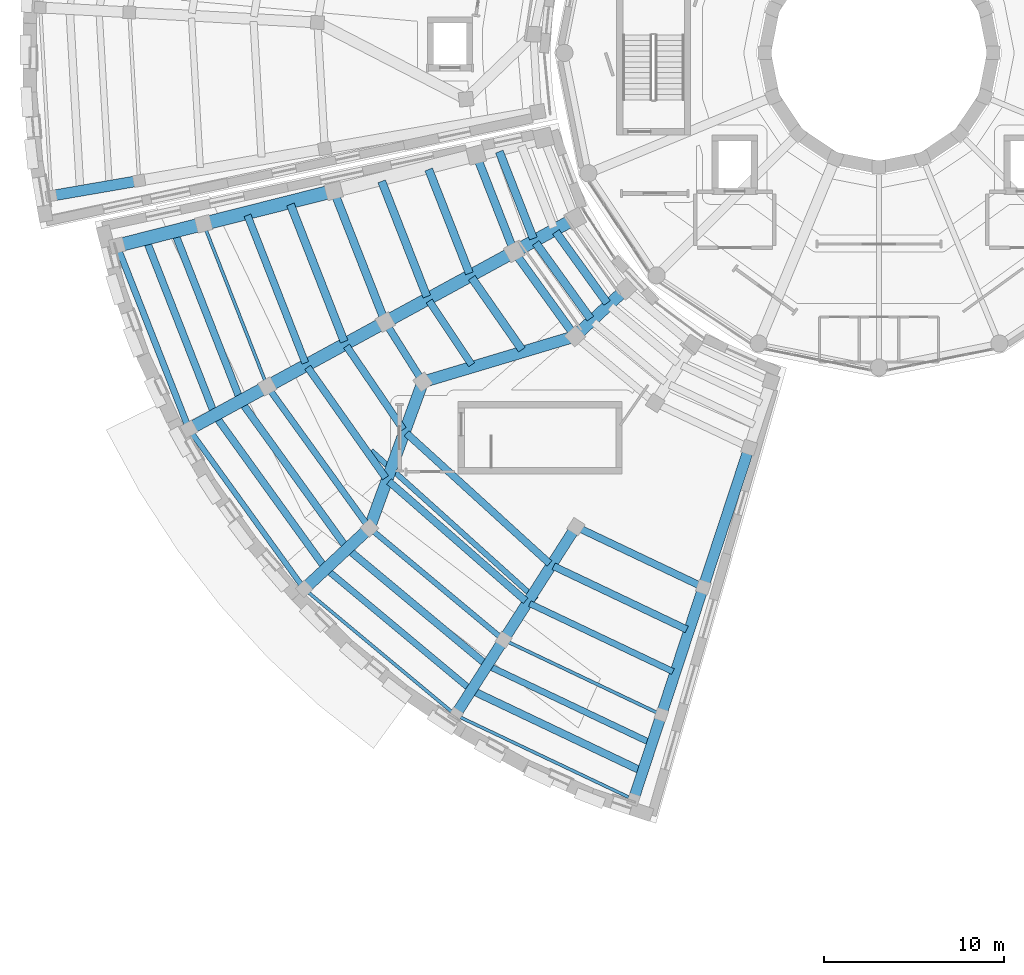
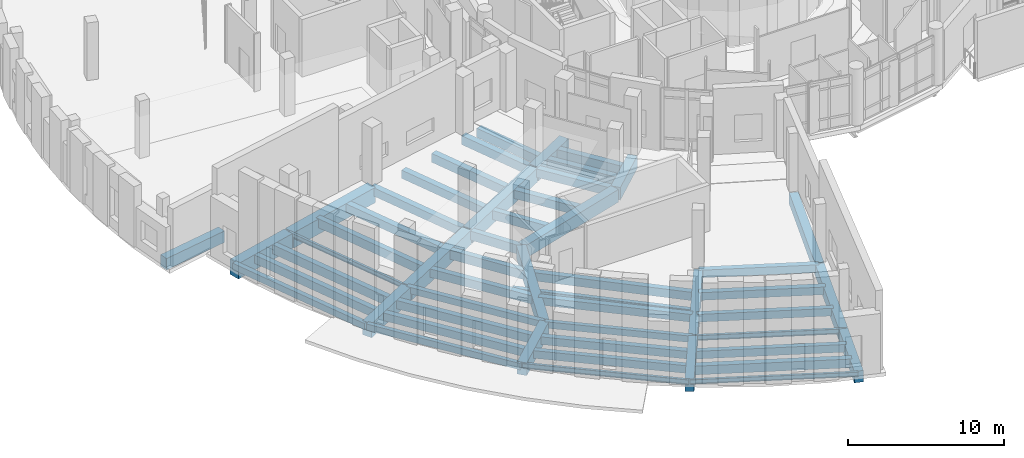
# One storey, part 9 of 89: 53 beams.
"""IFC4 building model written with IfcOpenShell, lengths in metres."""

from ifc_helpers import new_model, si_unit, direction, frame, origin, origin_2d, place, context, subcontext, project, spatial, rectangle, i_section, extrude, material, material_profile, profile_set, type_object, element, save


model = new_model("IFC4")

# Units and contexts
model_context = context("Model", 3, precision=1e-05, world=origin(), true_north=direction((0.0, 1.0)))
body_context = subcontext(model_context, "Body", "Model", "MODEL_VIEW")
ifc_project = project(units=[si_unit("LENGTHUNIT", "METRE"), si_unit("AREAUNIT", "SQUARE_METRE"), si_unit("VOLUMEUNIT", "CUBIC_METRE"), si_unit("PLANEANGLEUNIT", "RADIAN"), si_unit("MASSUNIT", "GRAM", prefix="KILO")], contexts=[model_context])

# Site, building, storey
site_placement = place(None, origin())
site = spatial("IfcSite", under=ifc_project, at=site_placement, CompositionType="ELEMENT")
building_placement = place(site_placement, origin())
building = spatial("IfcBuilding", under=site, at=building_placement, Name="Soyqirgoq Riverine Aquarium", CompositionType="ELEMENT")
storey_placement = place(building_placement, frame((0.0, 0.0, 5.39990234375)))
storey = spatial("IfcBuildingStorey", under=building, at=storey_placement, Name="L02", CompositionType="ELEMENT", Elevation=5.39990234375)

# Beams
ifc_material_1 = material(Name="Concrete C40/50", Category="concrete")
ifc_material_profile_1 = material_profile(ifc_material_1, rectangle(XDim=0.35009765625, YDim=0.60009765625, at=origin_2d()), Name="RC 350x600")
ifc_profile_set_1 = profile_set([ifc_material_profile_1], Name="Concrete C40/50")
beam_type_1 = type_object("IfcBeamType", Name="Beam_RC_350x600", PredefinedType="JOIST", material=ifc_profile_set_1)
beam_1_placement = place(storey_placement, frame((36.627685546875, 26.4501953125, -0.579833984375), z_axis=(0.903339377868, -0.428926530297, 0.0), x_axis=(0.428926530297, 0.903339377868, 0.0)))
element("IfcBeam", 1, at=beam_1_placement, inside=storey, type_object=beam_type_1, Name="V2 L02 Secondary Floor Joist 0285", PredefinedType="JOIST", context=body_context, shape_type="SweptSolid", body=[
    extrude(rectangle(XDim=0.35009765625, YDim=0.60009765625, at=origin_2d()), origin(), (0.0, 0.0, 1.0), 8.791748046875),
])
beam_2_placement = place(storey_placement, frame((25.415283203125, 28.289306640625, -0.579833984375), z_axis=(0.768275998918, -0.640118730773, 0.0), x_axis=(0.640118730773, 0.768275998918, 0.0)))
element("IfcBeam", 2, at=beam_2_placement, inside=storey, type_object=beam_type_1, Name="V2 L02 Secondary Floor Joist 0295", PredefinedType="JOIST", context=body_context, shape_type="SweptSolid", body=[
    extrude(rectangle(XDim=0.35009765625, YDim=0.60009765625, at=origin_2d()), origin(), (0.0, 0.0, 1.0), 10.239501953125),
])
beam_3_placement = place(storey_placement, frame((34.396240234375, 22.961181640625, -0.579833984375), z_axis=(0.903341984661, -0.428921040226, 0.0), x_axis=(0.428921040226, 0.903341984661, 0.0)))
element("IfcBeam", 3, at=beam_3_placement, inside=storey, type_object=beam_type_1, Name="V2 L02 Secondary Floor Joist 0296", PredefinedType="JOIST", context=body_context, shape_type="SweptSolid", body=[
    extrude(rectangle(XDim=0.35009765625, YDim=0.60009765625, at=origin_2d()), origin(), (0.0, 0.0, 1.0), 9.830078125),
])
ifc_material_2 = material(Name="Concrete C40/50", Category="concrete")
ifc_material_profile_2 = material_profile(ifc_material_2, rectangle(XDim=0.39990234375, YDim=0.60009765625, at=origin_2d()), Name="RC 400x600")
ifc_profile_set_2 = profile_set([ifc_material_profile_2], Name="Concrete C40/50")
beam_type_2 = type_object("IfcBeamType", Name="Beam_RC_400x600", PredefinedType="JOIST", material=ifc_profile_set_2)
beam_4_placement = place(storey_placement, frame((39.235595703125, 30.694091796875, -0.579833984375), z_axis=(0.903330500913, -0.428945225081, 0.0), x_axis=(0.428945225081, 0.903330500913, 0.0)))
element("IfcBeam", 4, at=beam_4_placement, inside=storey, type_object=beam_type_2, Name="V2 L02 Wedge Chord Beam 0277", PredefinedType="JOIST", context=body_context, shape_type="SweptSolid", body=[
    extrude(rectangle(XDim=0.39990234375, YDim=0.60009765625, at=origin_2d()), origin(), (0.0, 0.0, 1.0), 7.720703125),
])
beam_5_placement = place(storey_placement, frame((28.81591796875, 33.224609375, -0.579833984375), z_axis=(0.753082847612, -0.657925698413, 0.0), x_axis=(0.657925698413, 0.753082847612, 0.0)))
element("IfcBeam", 5, at=beam_5_placement, inside=storey, type_object=beam_type_2, Name="V2 L02 Secondary Floor Joist 0283", PredefinedType="JOIST", context=body_context, shape_type="SweptSolid", body=[
    extrude(rectangle(XDim=0.39990234375, YDim=0.60009765625, at=origin_2d()), origin(), (0.0, 0.0, 1.0), 10.065185546875),
])
beam_6_placement = place(storey_placement, frame((37.9521484375, 28.521484375, -0.579833984375), z_axis=(0.903337964388, -0.428929507139, 0.0), x_axis=(0.428929507139, 0.903337964388, 0.0)))
element("IfcBeam", 6, at=beam_6_placement, inside=storey, type_object=beam_type_2, Name="V2 L02 Secondary Floor Joist 0284", PredefinedType="JOIST", context=body_context, shape_type="SweptSolid", body=[
    extrude(rectangle(XDim=0.39990234375, YDim=0.60009765625, at=origin_2d()), origin(), (0.0, 0.0, 1.0), 8.17578125),
])
beam_7_placement = place(storey_placement, frame((19.236083984375, 36.79736328125, -0.579833984375), z_axis=(0.584960276052, -0.811061943036, 0.0), x_axis=(0.811061943036, 0.584960276052, 0.0)))
element("IfcBeam", 7, at=beam_7_placement, inside=storey, type_object=beam_type_2, Name="V2 L02 Secondary Floor Joist 0293", PredefinedType="JOIST", context=body_context, shape_type="SweptSolid", body=[
    extrude(rectangle(XDim=0.39990234375, YDim=0.60009765625, at=origin_2d()), origin(), (0.0, 0.0, 1.0), 10.239501953125),
])
beam_8_placement = place(storey_placement, frame((26.60986328125, 29.4033203125, -0.579833984375), z_axis=(0.76828642004, -0.640106223046, 0.0), x_axis=(0.640106223046, 0.76828642004, 0.0)))
element("IfcBeam", 8, at=beam_8_placement, inside=storey, type_object=beam_type_2, Name="V2 L02 Secondary Floor Joist 0294", PredefinedType="JOIST", context=body_context, shape_type="SweptSolid", body=[
    extrude(rectangle(XDim=0.39990234375, YDim=0.60009765625, at=origin_2d()), origin(), (0.0, 0.0, 1.0), 9.830078125),
])
ifc_material_3 = material(Name="Concrete C40/50", Category="concrete")
ifc_material_profile_3 = material_profile(ifc_material_3, rectangle(XDim=0.39990234375, YDim=0.64990234375, at=origin_2d()), Name="RC 400x650")
ifc_profile_set_3 = profile_set([ifc_material_profile_3], Name="Concrete C40/50")
beam_type_3 = type_object("IfcBeamType", Name="Beam_RC_400x650", PredefinedType="BEAM", material=ifc_profile_set_3)
beam_9_placement = place(storey_placement, frame((24.30517578125, 39.56103515625, -0.60498046875), z_axis=(0.576465973635, -0.817121154567, 0.0), x_axis=(0.817121154567, 0.576465973635, 0.0)))
element("IfcBeam", 9, at=beam_9_placement, inside=storey, type_object=beam_type_3, Name="V2 L02 Secondary Floor Joist 0281", PredefinedType="BEAM", context=body_context, shape_type="SweptSolid", body=[
    extrude(rectangle(XDim=0.39990234375, YDim=0.64990234375, at=origin_2d()), origin(), (0.0, 0.0, 1.0), 7.502197265625),
])
beam_10_placement = place(storey_placement, frame((29.79150390625, 35.898193359375, -0.60498046875), z_axis=(0.739349665406, -0.673321670722, 0.0), x_axis=(0.673321670722, 0.739349665406, 0.0)))
element("IfcBeam", 10, at=beam_10_placement, inside=storey, type_object=beam_type_3, Name="V2 L02 Secondary Floor Joist 0282", PredefinedType="BEAM", context=body_context, shape_type="SweptSolid", body=[
    extrude(rectangle(XDim=0.39990234375, YDim=0.64990234375, at=origin_2d()), origin(), (0.0, 0.0, 1.0), 10.7265625),
])
beam_11_placement = place(storey_placement, frame((15.366943359375, 46.574951171875, -0.60498046875), z_axis=(0.364865878453, -0.931060089758, 0.0), x_axis=(0.931060089758, 0.364865878453, 0.0)))
element("IfcBeam", 11, at=beam_11_placement, inside=storey, type_object=beam_type_3, Name="V2 L02 Secondary Floor Joist 0291", PredefinedType="BEAM", context=body_context, shape_type="SweptSolid", body=[
    extrude(rectangle(XDim=0.39990234375, YDim=0.64990234375, at=origin_2d()), origin(), (0.0, 0.0, 1.0), 10.239501953125),
])
beam_12_placement = place(storey_placement, frame((20.670166015625, 37.579345703125, -0.60498046875), z_axis=(0.584958145066, -0.811063479957, 0.0), x_axis=(0.811063479957, 0.584958145066, 0.0)))
element("IfcBeam", 12, at=beam_12_placement, inside=storey, type_object=beam_type_3, Name="V2 L02 Secondary Floor Joist 0292", PredefinedType="BEAM", context=body_context, shape_type="SweptSolid", body=[
    extrude(rectangle(XDim=0.39990234375, YDim=0.64990234375, at=origin_2d()), origin(), (0.0, 0.0, 1.0), 9.830078125),
])
ifc_material_4 = material(Name="Concrete C40/50", Category="concrete")
ifc_material_profile_4 = material_profile(ifc_material_4, rectangle(XDim=0.39990234375, YDim=0.699951171875, at=origin_2d()), Name="RC 400x700")
ifc_profile_set_4 = profile_set([ifc_material_profile_4], Name="Concrete C40/50")
beam_type_4 = type_object("IfcBeamType", Name="Beam_RC_400x700", PredefinedType="BEAM", material=ifc_profile_set_4)
beam_13_placement = place(storey_placement, frame((31.0458984375, 43.23583984375, -0.6298828125), z_axis=(0.555071349351, -0.831802739314, 0.0), x_axis=(0.831802739314, 0.555071349351, 0.0)))
element("IfcBeam", 13, at=beam_13_placement, inside=storey, type_object=beam_type_4, Name="V2 L02 Secondary Floor Joist 0274", PredefinedType="BEAM", context=body_context, shape_type="SweptSolid", body=[
    extrude(rectangle(XDim=0.39990234375, YDim=0.699951171875, at=origin_2d()), origin(), (0.0, 0.0, 1.0), 4.249755859375),
])
beam_14_placement = place(storey_placement, frame((28.633544921875, 42.0224609375, -0.6298828125), z_axis=(0.532881102814, -0.846190126546, 0.0), x_axis=(0.846190126546, 0.532881102814, 0.0)))
element("IfcBeam", 14, at=beam_14_placement, inside=storey, type_object=beam_type_4, Name="V2 L02 Wedge Chord Beam 0276", PredefinedType="BEAM", context=body_context, shape_type="SweptSolid", body=[
    extrude(rectangle(XDim=0.39990234375, YDim=0.699951171875, at=origin_2d()), origin(), (0.0, 0.0, 1.0), 3.818359375),
])
beam_15_placement = place(storey_placement, frame((20.96533203125, 47.99169921875, -0.6298828125), z_axis=(0.364879879553, -0.931054602855, 0.0), x_axis=(0.931054602855, 0.364879879553, 0.0)))
element("IfcBeam", 15, at=beam_15_placement, inside=storey, type_object=beam_type_4, Name="V2 L02 Secondary Floor Joist 0279", PredefinedType="BEAM", context=body_context, shape_type="SweptSolid", body=[
    extrude(rectangle(XDim=0.39990234375, YDim=0.699951171875, at=origin_2d()), origin(), (0.0, 0.0, 1.0), 8.7919921875),
])
beam_16_placement = place(storey_placement, frame((26.461669921875, 40.736572265625, -0.6298828125), z_axis=(0.562326724131, -0.826915143971, 0.0), x_axis=(0.826915143971, 0.562326724131, 0.0)))
element("IfcBeam", 16, at=beam_16_placement, inside=storey, type_object=beam_type_4, Name="V2 L02 Secondary Floor Joist 0280", PredefinedType="BEAM", context=body_context, shape_type="SweptSolid", body=[
    extrude(rectangle(XDim=0.39990234375, YDim=0.699951171875, at=origin_2d()), origin(), (0.0, 0.0, 1.0), 5.59716796875),
])
beam_17_placement = place(storey_placement, frame((16.950439453125, 46.9755859375, -0.6298828125), z_axis=(0.36486846203, -0.931059077296, 0.0), x_axis=(0.931059077296, 0.36486846203, 0.0)))
element("IfcBeam", 17, at=beam_17_placement, inside=storey, type_object=beam_type_4, Name="V2 L02 Secondary Floor Joist 0290", PredefinedType="BEAM", context=body_context, shape_type="SweptSolid", body=[
    extrude(rectangle(XDim=0.39990234375, YDim=0.699951171875, at=origin_2d()), origin(), (0.0, 0.0, 1.0), 9.830078125),
])
ifc_material_5 = material(Name="Concrete C40/50", Category="concrete")
ifc_material_profile_5 = material_profile(ifc_material_5, rectangle(XDim=0.419921875, YDim=0.679931640625, at=origin_2d()), Name="RC 420x680")
ifc_profile_set_5 = profile_set([ifc_material_profile_5], Name="Concrete C40/50")
beam_type_5 = type_object("IfcBeamType", Name="Beam_RC_420x680", PredefinedType="BEAM", material=ifc_profile_set_5)
beam_18_placement = place(storey_placement, frame((33.51611328125, 21.585205078125, -0.619873046875), z_axis=(0.903335942082, -0.428933766148, 0.0), x_axis=(0.428933766148, 0.903335942082, 0.0)))
element("IfcBeam", 18, at=beam_18_placement, inside=storey, type_object=beam_type_5, Name="V2 L02 Secondary Floor Joist 0297", PredefinedType="BEAM", context=body_context, shape_type="SweptSolid", body=[
    extrude(rectangle(XDim=0.419921875, YDim=0.679931640625, at=origin_2d()), origin(), (0.0, 0.0, 1.0), 10.239501953125),
])
ifc_material_6 = material(Name="Concrete C40/50", Category="concrete")
ifc_material_profile_6 = material_profile(ifc_material_6, rectangle(XDim=0.449951171875, YDim=0.64990234375, at=origin_2d()), Name="RC 450x650")
ifc_profile_set_6 = profile_set([ifc_material_profile_6], Name="Concrete C40/50")
beam_type_6 = type_object("IfcBeamType", Name="Beam_RC_450x650", PredefinedType="BEAM", material=ifc_profile_set_6)
beam_19_placement = place(storey_placement, frame((36.9599609375, 46.460693359375, -0.60498046875), z_axis=(0.584946555883, -0.811071838224, 0.0), x_axis=(0.811071838224, 0.584946555883, 0.0)))
element("IfcBeam", 19, at=beam_19_placement, inside=storey, type_object=beam_type_6, Name="V2 L02 Secondary Floor Joist 0262", PredefinedType="BEAM", context=body_context, shape_type="SweptSolid", body=[
    extrude(rectangle(XDim=0.449951171875, YDim=0.64990234375, at=origin_2d()), origin(), (0.0, 0.0, 1.0), 5.17919921875),
])
beam_20_placement = place(storey_placement, frame((35.791748046875, 45.925537109375, -0.60498046875), z_axis=(0.584966063461, -0.811057768965, 0.0), x_axis=(0.811057768965, 0.584966063461, 0.0)))
element("IfcBeam", 20, at=beam_20_placement, inside=storey, type_object=beam_type_6, Name="V2 L02 Wedge Chord Beam 0268", PredefinedType="BEAM", context=body_context, shape_type="SweptSolid", body=[
    extrude(rectangle(XDim=0.449951171875, YDim=0.64990234375, at=origin_2d()), origin(), (0.0, 0.0, 1.0), 5.677734375),
])
beam_21_placement = place(storey_placement, frame((28.41162109375, 49.875732421875, -0.60498046875), z_axis=(0.364902021322, -0.931045925202, 0.0), x_axis=(0.931045925202, 0.364902021322, 0.0)))
element("IfcBeam", 21, at=beam_21_placement, inside=storey, type_object=beam_type_6, Name="V2 L02 Secondary Floor Joist 0272", PredefinedType="BEAM", context=body_context, shape_type="SweptSolid", body=[
    extrude(rectangle(XDim=0.449951171875, YDim=0.64990234375, at=origin_2d()), origin(), (0.0, 0.0, 1.0), 6.866455078125),
])
beam_22_placement = place(storey_placement, frame((33.40966796875, 44.52490234375, -0.60498046875), z_axis=(0.57169232569, -0.820468088805, 0.0), x_axis=(0.820468088805, 0.57169232569, 0.0)))
element("IfcBeam", 22, at=beam_22_placement, inside=storey, type_object=beam_type_6, Name="V2 L02 Secondary Floor Joist 0273", PredefinedType="BEAM", context=body_context, shape_type="SweptSolid", body=[
    extrude(rectangle(XDim=0.449951171875, YDim=0.64990234375, at=origin_2d()), origin(), (0.0, 0.0, 1.0), 4.86376953125),
])
beam_23_placement = place(storey_placement, frame((25.771484375, 49.2998046875, -0.60498046875), z_axis=(0.364877403225, -0.931055573323, 0.0), x_axis=(0.931055573323, 0.364877403225, 0.0)))
element("IfcBeam", 23, at=beam_23_placement, inside=storey, type_object=beam_type_6, Name="V2 L02 Wedge Chord Beam 0275", PredefinedType="BEAM", context=body_context, shape_type="SweptSolid", body=[
    extrude(rectangle(XDim=0.449951171875, YDim=0.64990234375, at=origin_2d()), origin(), (0.0, 0.0, 1.0), 7.720703125),
])
beam_24_placement = place(storey_placement, frame((23.348876953125, 48.5947265625, -0.60498046875), z_axis=(0.364853059796, -0.93106511306, 0.0), x_axis=(0.93106511306, 0.364853059796, 0.0)))
element("IfcBeam", 24, at=beam_24_placement, inside=storey, type_object=beam_type_6, Name="V2 L02 Secondary Floor Joist 0278", PredefinedType="BEAM", context=body_context, shape_type="SweptSolid", body=[
    extrude(rectangle(XDim=0.449951171875, YDim=0.64990234375, at=origin_2d()), origin(), (0.0, 0.0, 1.0), 8.175537109375),
])
ifc_material_7 = material(Name="Concrete C40/50", Category="concrete")
ifc_material_profile_7 = material_profile(ifc_material_7, rectangle(XDim=0.449951171875, YDim=0.699951171875, at=origin_2d()), Name="RC 450x700")
ifc_profile_set_7 = profile_set([ifc_material_profile_7], Name="Concrete C40/50")
beam_type_7 = type_object("IfcBeamType", Name="Beam_RC_450x700", PredefinedType="BEAM", material=ifc_profile_set_7)
beam_25_placement = place(storey_placement, frame((34.93701171875, 51.527099609375, -0.6298828125), z_axis=(0.364872042506, -0.931057674152, 0.0), x_axis=(0.931057674152, 0.364872042506, 0.0)))
element("IfcBeam", 25, at=beam_25_placement, inside=storey, type_object=beam_type_7, Name="V2 L02 Secondary Floor Joist 0260", PredefinedType="BEAM", context=body_context, shape_type="SweptSolid", body=[
    extrude(rectangle(XDim=0.449951171875, YDim=0.699951171875, at=origin_2d()), origin(), (0.0, 0.0, 1.0), 5.1796875),
])
beam_26_placement = place(storey_placement, frame((38.0751953125, 47.069091796875, -0.6298828125), z_axis=(0.584956811671, -0.811064441632, 0.0), x_axis=(0.811064441632, 0.584956811671, 0.0)))
element("IfcBeam", 26, at=beam_26_placement, inside=storey, type_object=beam_type_7, Name="V2 L02 Secondary Floor Joist 0261", PredefinedType="BEAM", context=body_context, shape_type="SweptSolid", body=[
    extrude(rectangle(XDim=0.449951171875, YDim=0.699951171875, at=origin_2d()), origin(), (0.0, 0.0, 1.0), 4.861083984375),
])
beam_27_placement = place(storey_placement, frame((33.672607421875, 51.299072265625, -0.6298828125), z_axis=(0.364887298989, -0.931051695147, 0.0), x_axis=(0.931051695147, 0.364887298989, 0.0)))
element("IfcBeam", 27, at=beam_27_placement, inside=storey, type_object=beam_type_7, Name="V2 L02 Wedge Chord Beam 0267", PredefinedType="BEAM", context=body_context, shape_type="SweptSolid", body=[
    extrude(rectangle(XDim=0.449951171875, YDim=0.699951171875, at=origin_2d()), origin(), (0.0, 0.0, 1.0), 5.677734375),
])
beam_28_placement = place(storey_placement, frame((31.01904296875, 50.53564453125, -0.6298828125), z_axis=(0.364876470014, -0.931055939044, 0.0), x_axis=(0.931055939044, 0.364876470014, 0.0)))
element("IfcBeam", 28, at=beam_28_placement, inside=storey, type_object=beam_type_7, Name="V2 L02 Secondary Floor Joist 0271", PredefinedType="BEAM", context=body_context, shape_type="SweptSolid", body=[
    extrude(rectangle(XDim=0.449951171875, YDim=0.699951171875, at=origin_2d()), origin(), (0.0, 0.0, 1.0), 6.192626953125),
])
ifc_material_8 = material(Name="Concrete C40/50", Category="concrete")
ifc_material_profile_8 = material_profile(ifc_material_8, rectangle(XDim=0.60009765625, YDim=1.0, at=origin_2d()), Name="RC 600x1000")
ifc_profile_set_8 = profile_set([ifc_material_profile_8], Name="Concrete C40/50")
beam_type_8 = type_object("IfcBeamType", Name="Girder_RC_600x1000", PredefinedType="BEAM", material=ifc_profile_set_8)
beam_29_placement = place(storey_placement, frame((39.16357421875, 30.67333984375, -0.77978515625), z_axis=(-0.538786928276, -0.842442072738, 0.0), x_axis=(0.842442072738, -0.538786928276, 0.0)))
element("IfcBeam", 29, at=beam_29_placement, inside=storey, type_object=beam_type_8, Name="V2 L02 Wedge Radial Girder 0249", PredefinedType="BEAM", context=body_context, shape_type="SweptSolid", body=[
    extrude(rectangle(XDim=0.60009765625, YDim=1.0, at=origin_2d()), origin(), (0.0, 0.0, 1.0), 7.350341796875),
])
beam_30_placement = place(storey_placement, frame((35.149658203125, 24.397216796875, -0.77978515625), z_axis=(-0.538766550518, -0.842455105061, 0.0), x_axis=(0.842455105061, -0.538766550518, 0.0)))
element("IfcBeam", 30, at=beam_30_placement, inside=storey, type_object=beam_type_8, Name="V2 L02 Wedge Radial Girder 0250", PredefinedType="BEAM", context=body_context, shape_type="SweptSolid", body=[
    extrude(rectangle(XDim=0.60009765625, YDim=1.0, at=origin_2d()), origin(), (0.0, 0.0, 1.0), 4.85009765625),
])
ifc_material_9 = material(Name="Concrete C40/50", Category="concrete")
ifc_material_profile_9 = material_profile(ifc_material_9, rectangle(XDim=0.60009765625, YDim=0.89990234375, at=origin_2d()), Name="RC 600x900")
ifc_profile_set_9 = profile_set([ifc_material_profile_9], Name="Concrete C40/50")
beam_type_9 = type_object("IfcBeamType", Name="Girder_RC_600x900", PredefinedType="BEAM", material=ifc_profile_set_9)
beam_31_placement = place(storey_placement, frame((48.78515625, 35.0556640625, -0.72998046875), z_axis=(-0.312349194432, -0.949967357722, 0.0), x_axis=(0.949967357722, -0.312349194432, 0.0)))
element("IfcBeam", 31, at=beam_31_placement, inside=storey, type_object=beam_type_9, Name="V2 L02 Wedge Radial Girder 0252", PredefinedType="BEAM", context=body_context, shape_type="SweptSolid", body=[
    extrude(rectangle(XDim=0.60009765625, YDim=0.89990234375, at=origin_2d()), origin(), (0.0, 0.0, 1.0), 8.050048828125),
])
beam_32_placement = place(storey_placement, frame((46.239501953125, 27.3134765625, -0.72998046875), z_axis=(-0.312328876865, -0.949974037896, 0.0), x_axis=(0.949974037896, -0.312328876865, 0.0)))
element("IfcBeam", 32, at=beam_32_placement, inside=storey, type_object=beam_type_9, Name="V2 L02 Wedge Radial Girder 0253", PredefinedType="BEAM", context=body_context, shape_type="SweptSolid", body=[
    extrude(rectangle(XDim=0.60009765625, YDim=0.89990234375, at=origin_2d()), origin(), (0.0, 0.0, 1.0), 7.35009765625),
])
beam_33_placement = place(storey_placement, frame((43.91259765625, 20.236083984375, -0.72998046875), z_axis=(-0.312344099668, -0.949969032865, 0.0), x_axis=(0.949969032865, -0.312344099668, 0.0)))
element("IfcBeam", 33, at=beam_33_placement, inside=storey, type_object=beam_type_9, Name="V2 L02 Wedge Radial Girder 0254", PredefinedType="BEAM", context=body_context, shape_type="SweptSolid", body=[
    extrude(rectangle(XDim=0.60009765625, YDim=0.89990234375, at=origin_2d()), origin(), (0.0, 0.0, 1.0), 4.85009765625),
])
beam_34_placement = place(storey_placement, frame((14.908447265625, 49.90234375, -0.75), z_axis=(-0.985401055324, -0.170249112087, 0.0), x_axis=(0.170249112087, -0.985401055324, 0.0)))
element("IfcBeam", 34, at=beam_34_placement, inside=storey, type_object=beam_type_9, Name="V3 L02 Wedge Radial Girder 0374", PredefinedType="BEAM", context=body_context, shape_type="SweptSolid", body=[
    extrude(rectangle(XDim=0.60009765625, YDim=0.89990234375, at=origin_2d()), origin(), (0.0, 0.0, 1.0), 4.849853515625),
])
ifc_material_10 = material(Name="Concrete C40/50", Category="concrete")
ifc_material_profile_10 = material_profile(ifc_material_10, rectangle(XDim=0.64990234375, YDim=1.0, at=origin_2d()), Name="RC 650x1000")
ifc_profile_set_10 = profile_set([ifc_material_profile_10], Name="Concrete C40/50")
beam_type_10 = type_object("IfcBeamType", Name="Girder_RC_650x1000", PredefinedType="BEAM", material=ifc_profile_set_10)
beam_35_placement = place(storey_placement, frame((41.92138671875, 43.87158203125, -0.77978515625), z_axis=(-0.731319343067, -0.682035203238, 0.0), x_axis=(0.682035203238, -0.731319343067, 0.0)))
element("IfcBeam", 35, at=beam_35_placement, inside=storey, type_object=beam_type_10, Name="V2 L02 Wedge Radial Girder 0244", PredefinedType="BEAM", context=body_context, shape_type="SweptSolid", body=[
    extrude(rectangle(XDim=0.64990234375, YDim=1.0, at=origin_2d()), origin(), (0.0, 0.0, 1.0), 3.75),
])
beam_36_placement = place(storey_placement, frame((39.094482421875, 41.265625, -0.77978515625), z_axis=(-0.957939505525, -0.286970214055, 0.0), x_axis=(0.286970214055, -0.957939505525, 0.0)))
element("IfcBeam", 36, at=beam_36_placement, inside=storey, type_object=beam_type_10, Name="V2 L02 Wedge Radial Girder 0245", PredefinedType="BEAM", context=body_context, shape_type="SweptSolid", body=[
    extrude(rectangle(XDim=0.64990234375, YDim=1.0, at=origin_2d()), origin(), (0.0, 0.0, 1.0), 8.718505859375),
])
beam_37_placement = place(storey_placement, frame((30.677490234375, 38.702392578125, -0.77978515625), z_axis=(-0.343045372919, -0.939318834113, 0.0), x_axis=(0.939318834113, -0.343045372919, 0.0)))
element("IfcBeam", 37, at=beam_37_placement, inside=storey, type_object=beam_type_10, Name="V2 L02 Wedge Radial Girder 0246", PredefinedType="BEAM", context=body_context, shape_type="SweptSolid", body=[
    extrude(rectangle(XDim=0.64990234375, YDim=1.0, at=origin_2d()), origin(), (0.0, 0.0, 1.0), 8.532470703125),
])
beam_38_placement = place(storey_placement, frame((27.696533203125, 30.606689453125, -0.77978515625), z_axis=(-0.731343135026, -0.682009691171, 0.0), x_axis=(0.682009691171, -0.731343135026, 0.0)))
element("IfcBeam", 38, at=beam_38_placement, inside=storey, type_object=beam_type_10, Name="V2 L02 Wedge Radial Girder 0247", PredefinedType="BEAM", context=body_context, shape_type="SweptSolid", body=[
    extrude(rectangle(XDim=0.64990234375, YDim=1.0, at=origin_2d()), origin(), (0.0, 0.0, 1.0), 4.849853515625),
])
ifc_material_11 = material(Name="Concrete C40/50", Category="concrete")
ifc_material_profile_11 = material_profile(ifc_material_11, rectangle(XDim=0.699951171875, YDim=1.10009765625, at=origin_2d()), Name="RC 700x1100")
ifc_profile_set_11 = profile_set([ifc_material_profile_11], Name="Concrete C40/50")
beam_type_11 = type_object("IfcBeamType", Name="Girder_RC_700x1100", PredefinedType="BEAM", material=ifc_profile_set_11)
beam_39_placement = place(storey_placement, frame((39.098876953125, 47.78515625, -0.829833984375), z_axis=(-0.8779776643, -0.47870159911, 0.0), x_axis=(0.47870159911, -0.8779776643, 0.0)))
element("IfcBeam", 39, at=beam_39_placement, inside=storey, type_object=beam_type_11, Name="V2 L02 Wedge Radial Girder 0240", PredefinedType="BEAM", context=body_context, shape_type="SweptSolid", body=[
    extrude(rectangle(XDim=0.699951171875, YDim=1.10009765625, at=origin_2d()), origin(), (0.0, 0.0, 1.0), 3.75),
])
beam_40_placement = place(storey_placement, frame((35.718505859375, 45.9423828125, -0.829833984375), z_axis=(-0.877963946738, -0.478726757376, 0.0), x_axis=(0.478726757376, -0.877963946738, 0.0)))
element("IfcBeam", 40, at=beam_40_placement, inside=storey, type_object=beam_type_11, Name="V2 L02 Wedge Radial Girder 0241", PredefinedType="BEAM", context=body_context, shape_type="SweptSolid", body=[
    extrude(rectangle(XDim=0.699951171875, YDim=1.10009765625, at=origin_2d()), origin(), (0.0, 0.0, 1.0), 8.050048828125),
])
beam_41_placement = place(storey_placement, frame((28.56298828125, 42.041015625, -0.829833984375), z_axis=(-0.877971726442, -0.478712489463, 0.0), x_axis=(0.478712489463, -0.877971726442, 0.0)))
element("IfcBeam", 41, at=beam_41_placement, inside=storey, type_object=beam_type_11, Name="V2 L02 Wedge Radial Girder 0242", PredefinedType="BEAM", context=body_context, shape_type="SweptSolid", body=[
    extrude(rectangle(XDim=0.699951171875, YDim=1.10009765625, at=origin_2d()), origin(), (0.0, 0.0, 1.0), 7.35009765625),
])
beam_42_placement = place(storey_placement, frame((22.022216796875, 38.474609375, -0.829833984375), z_axis=(-0.877976355965, -0.478703998694, 0.0), x_axis=(0.478703998694, -0.877976355965, 0.0)))
element("IfcBeam", 42, at=beam_42_placement, inside=storey, type_object=beam_type_11, Name="V2 L02 Wedge Radial Girder 0243", PredefinedType="BEAM", context=body_context, shape_type="SweptSolid", body=[
    extrude(rectangle(XDim=0.699951171875, YDim=1.10009765625, at=origin_2d()), origin(), (0.0, 0.0, 1.0), 4.85009765625),
])
ifc_material_12 = material(Name="Concrete C40/50", Category="concrete")
ifc_material_profile_12 = material_profile(ifc_material_12, rectangle(XDim=0.75, YDim=1.199951171875, at=origin_2d()), Name="RC 750x1200")
ifc_profile_set_12 = profile_set([ifc_material_profile_12], Name="Concrete C40/50")
beam_type_12 = type_object("IfcBeamType", Name="Girder_RC_750x1200", PredefinedType="BEAM", material=ifc_profile_set_12)
beam_43_placement = place(storey_placement, frame((25.704833984375, 49.333984375, -0.8798828125), z_axis=(-0.969454775879, -0.245270131744, 0.0), x_axis=(0.245270131744, -0.969454775879, 0.0)))
element("IfcBeam", 43, at=beam_43_placement, inside=storey, type_object=beam_type_12, Name="V2 L02 Wedge Radial Girder 0238", PredefinedType="BEAM", context=body_context, shape_type="SweptSolid", body=[
    extrude(rectangle(XDim=0.75, YDim=1.199951171875, at=origin_2d()), origin(), (0.0, 0.0, 1.0), 7.35009765625),
])
beam_44_placement = place(storey_placement, frame((18.482421875, 47.506591796875, -0.8798828125), z_axis=(-0.96944562709, -0.245306290415, 0.0), x_axis=(0.245306290415, -0.96944562709, 0.0)))
element("IfcBeam", 44, at=beam_44_placement, inside=storey, type_object=beam_type_12, Name="V2 L02 Wedge Radial Girder 0239", PredefinedType="BEAM", context=body_context, shape_type="SweptSolid", body=[
    extrude(rectangle(XDim=0.75, YDim=1.199951171875, at=origin_2d()), origin(), (0.0, 0.0, 1.0), 4.849853515625),
])
ifc_material_13 = material(Name="Concrete C40/50", Category="concrete")
ifc_material_profile_13 = material_profile(ifc_material_13, rectangle(XDim=0.300048828125, YDim=0.5, at=origin_2d()), Name="RC 300x500")
ifc_profile_set_13 = profile_set([ifc_material_profile_13], Name="Concrete C40/50")
beam_type_13 = type_object("IfcBeamType", Name="Spandrel_RC_300x500", PredefinedType="SPANDREL", material=ifc_profile_set_13)
beam_45_placement = place(storey_placement, frame((27.771484375, 30.60888671875, -0.52978515625), z_axis=(0.768283886869, -0.640109263468, 0.0), x_axis=(0.640109263468, 0.768283886869, 0.0)))
element("IfcBeam", 45, at=beam_45_placement, inside=storey, type_object=beam_type_13, Name="V2 L02 Wedge Chord Beam 0288", PredefinedType="SPANDREL", context=body_context, shape_type="SweptSolid", body=[
    extrude(rectangle(XDim=0.300048828125, YDim=0.5, at=origin_2d()), origin(), (0.0, 0.0, 1.0), 9.588623046875),
])
beam_46_placement = place(storey_placement, frame((17.7490234375, 36.08837890625, -0.52978515625), z_axis=(0.584972679004, -0.81105299754, 0.0), x_axis=(0.81105299754, 0.584972679004, 0.0)))
element("IfcBeam", 46, at=beam_46_placement, inside=storey, type_object=beam_type_13, Name="V2 L02 Wedge Chord Beam 0299", PredefinedType="SPANDREL", context=body_context, shape_type="SweptSolid", body=[
    extrude(rectangle(XDim=0.300048828125, YDim=0.5, at=origin_2d()), origin(), (0.0, 0.0, 1.0), 10.8291015625),
])
ifc_material_14 = material(Name="Concrete C40/50", Category="concrete")
ifc_material_profile_14 = material_profile(ifc_material_14, rectangle(XDim=0.35009765625, YDim=0.5, at=origin_2d()), Name="RC 350x500")
ifc_profile_set_14 = profile_set([ifc_material_profile_14], Name="Concrete C40/50")
beam_type_14 = type_object("IfcBeamType", Name="Spandrel_RC_350x500", PredefinedType="SPANDREL", material=ifc_profile_set_14)
beam_47_placement = place(storey_placement, frame((22.09521484375, 38.4580078125, -0.52978515625), z_axis=(0.584972613357, -0.811053044888, 0.0), x_axis=(0.811053044888, 0.584972613357, 0.0)))
element("IfcBeam", 47, at=beam_47_placement, inside=storey, type_object=beam_type_14, Name="V2 L02 Wedge Chord Beam 0287", PredefinedType="SPANDREL", context=body_context, shape_type="SweptSolid", body=[
    extrude(rectangle(XDim=0.35009765625, YDim=0.5, at=origin_2d()), origin(), (0.0, 0.0, 1.0), 9.58837890625),
])
beam_48_placement = place(storey_placement, frame((13.75048828125, 46.258056640625, -0.52978515625), z_axis=(0.364866832359, -0.931059715939, 0.0), x_axis=(0.931059715939, 0.364866832359, 0.0)))
element("IfcBeam", 48, at=beam_48_placement, inside=storey, type_object=beam_type_14, Name="V2 L02 Wedge Chord Beam 0298", PredefinedType="SPANDREL", context=body_context, shape_type="SweptSolid", body=[
    extrude(rectangle(XDim=0.35009765625, YDim=0.5, at=origin_2d()), origin(), (0.0, 0.0, 1.0), 10.8291015625),
])
ifc_material_15 = material(Name="Structural steel S355", Category="steel")
ifc_material_profile_15 = material_profile(ifc_material_15, i_section(OverallWidth=0.169921875, OverallDepth=0.360107421875, WebThickness=0.008056640625, FlangeThickness=0.0126953125, FilletRadius=0.01806640625, at=origin_2d()), Name="IPE 360")
ifc_profile_set_15 = profile_set([ifc_material_profile_15], Name="Structural steel S355")
beam_type_15 = type_object("IfcBeamType", Name="Spandrel_Steel_IPE360", PredefinedType="SPANDREL", material=ifc_profile_set_15)
beam_49_placement = place(storey_placement, frame((18.549072265625, 47.472412109375, -0.4599609375), z_axis=(0.364897560779, -0.931047673397, 0.0), x_axis=(0.931047673397, 0.364897560779, 0.0)))
element("IfcBeam", 49, at=beam_49_placement, inside=storey, type_object=beam_type_15, Name="V2 L02 Wedge Chord Beam 0286", PredefinedType="SPANDREL", context=body_context, shape_type="SweptSolid", body=[
    extrude(i_section(OverallWidth=0.169921875, OverallDepth=0.360107421875, WebThickness=0.008056640625, FlangeThickness=0.0126953125, FilletRadius=0.01806640625, at=origin_2d()), origin(), (0.0, 0.0, 1.0), 9.58837890625),
])
beam_50_placement = place(storey_placement, frame((32.5546875, 20.247802734375, -0.4599609375), z_axis=(0.903323807268, -0.428959321176, 0.0), x_axis=(0.428959321176, 0.903323807268, 0.0)))
element("IfcBeam", 50, at=beam_50_placement, inside=storey, type_object=beam_type_15, Name="V2 L02 Wedge Chord Beam 0301", PredefinedType="SPANDREL", context=body_context, shape_type="SweptSolid", body=[
    extrude(i_section(OverallWidth=0.169921875, OverallDepth=0.360107421875, WebThickness=0.008056640625, FlangeThickness=0.0126953125, FilletRadius=0.01806640625, at=origin_2d()), origin(), (0.0, 0.0, 1.0), 10.8291015625),
])
ifc_material_16 = material(Name="Structural steel S355", Category="steel")
ifc_material_profile_16 = material_profile(ifc_material_16, i_section(OverallWidth=0.179931640625, OverallDepth=0.39990234375, WebThickness=0.008544921875, FlangeThickness=0.013427734375, FilletRadius=0.02099609375, at=origin_2d()), Name="IPE 400")
ifc_profile_set_16 = profile_set([ifc_material_profile_16], Name="Structural steel S355")
beam_type_16 = type_object("IfcBeamType", Name="Spandrel_Steel_IPE400", PredefinedType="SPANDREL", material=ifc_profile_set_16)
beam_51_placement = place(storey_placement, frame((35.2216796875, 24.417724609375, -0.47998046875), z_axis=(0.903332511993, -0.428940989854, 0.0), x_axis=(0.428940989854, 0.903332511993, 0.0)))
element("IfcBeam", 51, at=beam_51_placement, inside=storey, type_object=beam_type_16, Name="V2 L02 Wedge Chord Beam 0289", PredefinedType="SPANDREL", context=body_context, shape_type="SweptSolid", body=[
    extrude(i_section(OverallWidth=0.179931640625, OverallDepth=0.39990234375, WebThickness=0.008544921875, FlangeThickness=0.013427734375, FilletRadius=0.02099609375, at=origin_2d()), origin(), (0.0, 0.0, 1.0), 9.588134765625),
])
beam_52_placement = place(storey_placement, frame((24.1513671875, 27.23291015625, -0.47998046875), z_axis=(0.768280410123, -0.64011343637, 0.0), x_axis=(0.64011343637, 0.768280410123, 0.0)))
element("IfcBeam", 52, at=beam_52_placement, inside=storey, type_object=beam_type_16, Name="V2 L02 Wedge Chord Beam 0300", PredefinedType="SPANDREL", context=body_context, shape_type="SweptSolid", body=[
    extrude(i_section(OverallWidth=0.179931640625, OverallDepth=0.39990234375, WebThickness=0.008544921875, FlangeThickness=0.013427734375, FilletRadius=0.02099609375, at=origin_2d()), origin(), (0.0, 0.0, 1.0), 10.8291015625),
])
ifc_material_17 = material(Name="Structural steel S355", Category="steel")
ifc_material_profile_17 = material_profile(ifc_material_17, i_section(OverallWidth=0.300048828125, OverallDepth=0.43994140625, WebThickness=0.011474609375, FlangeThickness=0.02099609375, FilletRadius=0.027099609375, at=origin_2d()), Name="HEA 450")
ifc_profile_set_17 = profile_set([ifc_material_profile_17], Name="Structural steel S355")
beam_type_17 = type_object("IfcBeamType", Name="SteelBeam_HEA450", PredefinedType="BEAM", material=ifc_profile_set_17)
beam_53_placement = place(storey_placement, frame((27.826416015625, 34.92578125, -0.5), z_axis=(0.743145497074, -0.669129860475, 0.0), x_axis=(0.669129860475, 0.743145497074, 0.0)))
element("IfcBeam", 53, at=beam_53_placement, inside=storey, type_object=beam_type_17, Name="V2 L02 Portal Frame Beam 0303", PredefinedType="BEAM", context=body_context, shape_type="SweptSolid", body=[
    extrude(i_section(OverallWidth=0.300048828125, OverallDepth=0.43994140625, WebThickness=0.011474609375, FlangeThickness=0.02099609375, FilletRadius=0.027099609375, at=origin_2d()), origin(), (0.0, 0.0, 1.0), 12.3330078125),
])

save(model, "model.ifc")
